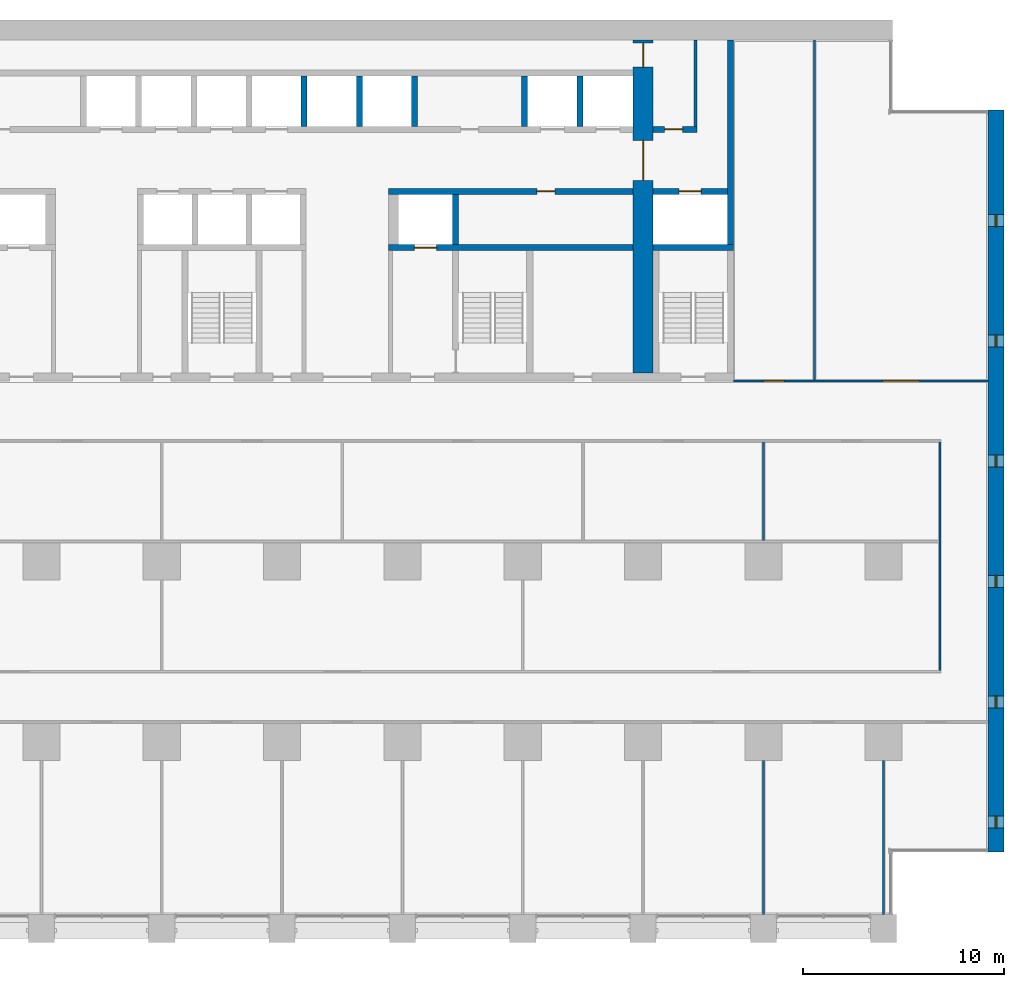
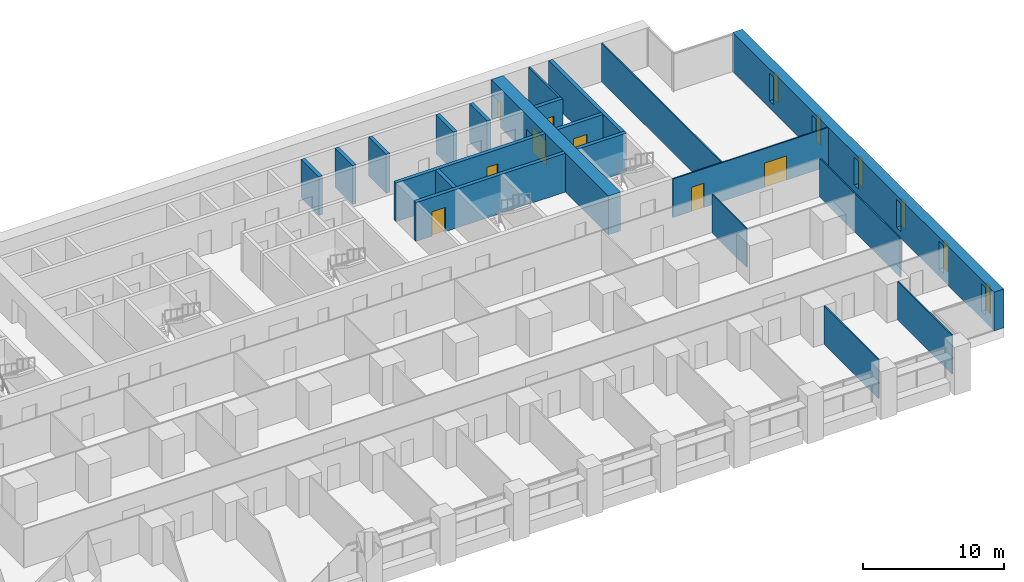
# One storey, part 13 of 18: 21 walls, 8 doors, 6 windows, 14 openings.
"""IFC4 building model written with IfcOpenShell, lengths in metres."""

from ifc_helpers import new_model, si_unit, direction, frame, frame_2d, origin, place, context, subcontext, project, spatial, rectangle, extrude, material, layer, layer_set, type_object, element, fill, save


model = new_model("IFC4")

# Units and contexts
model_context = context("Model", 3, precision=1e-05, world=origin(), true_north=direction((0.0, 1.0)))
body_context = subcontext(model_context, "Body", "Model", "MODEL_VIEW")
ifc_project = project(units=[si_unit("LENGTHUNIT", "METRE"), si_unit("AREAUNIT", "SQUARE_METRE"), si_unit("VOLUMEUNIT", "CUBIC_METRE"), si_unit("PLANEANGLEUNIT", "RADIAN"), si_unit("MASSUNIT", "GRAM", prefix="KILO")], contexts=[model_context])

# Site, building, storey
site_placement = place(None, origin())
site = spatial("IfcSite", under=ifc_project, at=site_placement, CompositionType="ELEMENT")
building_placement = place(site_placement, origin())
building = spatial("IfcBuilding", under=site, at=building_placement, Name="Calvaro Tower", CompositionType="ELEMENT")
storey_placement = place(building_placement, frame((0.0, 0.0, 22.5)))
storey = spatial("IfcBuildingStorey", under=building, at=storey_placement, Name="L04", CompositionType="ELEMENT", Elevation=22.5)

# Wall
ifc_material_1 = material(Name="Blockwork partition", Category="masonry")
ifc_layer_1 = layer(ifc_material_1, 0.14990234375)
ifc_layer_set_1 = layer_set([ifc_layer_1], Name="Blockwork partition")
wall_type_1 = type_object("IfcWallType", Name="Core partition 150 REI 120", PredefinedType="PARTITIONING", material=ifc_layer_set_1)
wall_1_placement = place(storey_placement, frame((62.625, 40.699951171875, 0.0), z_axis=(0.0, 0.0, 1.0), x_axis=(0.0, 1.0, 0.0)))
element("IfcWall", 1, at=wall_1_placement, inside=storey, type_object=wall_type_1, Name="Core partition", PredefinedType="PARTITIONING", context=body_context, shape_type="SweptSolid", body=[
    extrude(rectangle(XDim=4.300048828125, YDim=0.14990234375, at=frame_2d((2.14990234375, 0.0))), origin(), (0.0, 0.0, 1.0), 3.35009765625),
])

# Wall, opening, door
ifc_material_2 = material(Name="Blockwork partition", Category="masonry")
ifc_layer_2 = layer(ifc_material_2, 0.300048828125)
ifc_layer_set_2 = layer_set([ifc_layer_2], Name="Blockwork partition")
wall_type_2 = type_object("IfcWallType", Name="Core partition 300 REI 120", PredefinedType="PARTITIONING", material=ifc_layer_set_2)
wall_2_placement = place(storey_placement, frame((60.5, 40.550048828125, 0.0), z_axis=(0.0, 0.0, 1.0), x_axis=(1.0, 0.0, 0.0)))
wall_2 = element("IfcWall", 2, at=wall_2_placement, inside=storey, type_object=wall_type_2, Name="Core partition", PredefinedType="PARTITIONING", context=body_context, shape_type="SweptSolid", body=[
    extrude(rectangle(XDim=2.199951171875, YDim=0.300048828125, at=frame_2d((1.10009765625, 0.0))), origin(), (0.0, 0.0, 1.0), 3.35009765625),
])
opening_1_placement = place(wall_2_placement, frame((0.574951171875, 0.0, 0.0)))
opening_1 = element("IfcOpeningElement", 3, at=opening_1_placement, cuts=wall_2, Name="Opening RD9C", PredefinedType="OPENING", context=body_context, shape_type="SweptSolid", body=[
    extrude(rectangle(XDim=0.89990234375, YDim=2.10009765625, at=frame_2d((0.449951171875, 1.050048828125))), frame((0.0, 0.159912109375, 0.0), z_axis=(0.0, -1.0, 0.0), x_axis=(1.0, 0.0, 0.0)), (0.0, 0.0, 1.0), 0.320068359375),
])
ifc_material_3 = material(Name="Steel door set", Category="steel")
door_type_1 = type_object("IfcDoorType", Name="Room door 900 FD30", OperationType="SINGLE_SWING_LEFT", PredefinedType="DOOR", material=ifc_material_3)
door_1_placement = place(opening_1_placement, origin())
door_1 = element("IfcDoor", 4, at=door_1_placement, inside=storey, type_object=door_type_1, Name="Room door", OperationType="SINGLE_SWING_LEFT", OverallHeight=2.10009765625, OverallWidth=0.89990234375, PredefinedType="DOOR", context=body_context, shape_type="SweptSolid", body=[
    extrude(rectangle(XDim=0.89990234375, YDim=2.10009765625, at=frame_2d((0.449951171875, 1.050048828125))), frame((0.0, 0.02490234375, 0.0), z_axis=(0.0, -1.0, 0.0), x_axis=(1.0, 0.0, 0.0)), (0.0, 0.0, 1.0), 0.050048828125),
])
fill(opening_1, door_1)

# Wall, openings, doors
ifc_material_4 = material(Name="Concrete C80/95", Category="concrete")
ifc_layer_3 = layer(ifc_material_4, 1.0)
ifc_layer_set_3 = layer_set([ifc_layer_3], Name="Concrete C80/95")
wall_type_3 = type_object("IfcWallType", Name="Core wall C80/95 1000", PredefinedType="SHEAR", material=ifc_layer_set_3)
wall_3_placement = place(storey_placement, frame((60.0, 28.39990234375, 0.0), z_axis=(0.0, 0.0, 1.0), x_axis=(0.0, 1.0, 0.0)))
wall_3 = element("IfcWall", 5, at=wall_3_placement, inside=storey, type_object=wall_type_3, Name="Core wall, cross shear wall", PredefinedType="SHEAR", context=body_context, shape_type="SweptSolid", body=[
    extrude(rectangle(XDim=16.60009765625, YDim=1.0, at=frame_2d((8.300048828125, 0.0))), origin(), (0.0, 0.0, 1.0), 3.35009765625),
])
opening_2_placement = place(wall_3_placement, frame((9.60009765625, 0.0, 0.0)))
opening_2 = element("IfcOpeningElement", 6, at=opening_2_placement, cuts=wall_3, Name="Opening DD20D", PredefinedType="OPENING", context=body_context, shape_type="SweptSolid", body=[
    extrude(rectangle(XDim=2.0, YDim=2.10009765625, at=frame_2d((1.0, 1.050048828125))), frame((0.0, 0.510009765625, 0.0), z_axis=(0.0, -1.0, 0.0), x_axis=(1.0, 0.0, 0.0)), (0.0, 0.0, 1.0), 1.02001953125),
])
opening_3_placement = place(wall_3_placement, frame((15.25, 0.0, 0.0)))
opening_3 = element("IfcOpeningElement", 7, at=opening_3_placement, cuts=wall_3, Name="Opening FD12C", PredefinedType="OPENING", context=body_context, shape_type="SweptSolid", body=[
    extrude(rectangle(XDim=1.199951171875, YDim=2.10009765625, at=frame_2d((0.60009765625, 1.050048828125))), frame((0.0, 0.510009765625, 0.0), z_axis=(0.0, -1.0, 0.0), x_axis=(1.0, 0.0, 0.0)), (0.0, 0.0, 1.0), 1.02001953125),
])
ifc_material_5 = material(Name="Steel door set", Category="steel")
door_type_2 = type_object("IfcDoorType", Name="Fire door 1200 FD30", OperationType="SINGLE_SWING_LEFT", PredefinedType="DOOR", material=ifc_material_5)
door_2_placement = place(opening_3_placement, origin())
door_2 = element("IfcDoor", 8, at=door_2_placement, inside=storey, type_object=door_type_2, Name="Fire door", OperationType="SINGLE_SWING_LEFT", OverallHeight=2.10009765625, OverallWidth=1.199951171875, PredefinedType="DOOR", context=body_context, shape_type="SweptSolid", body=[
    extrude(rectangle(XDim=1.199951171875, YDim=2.10009765625, at=frame_2d((0.60009765625, 1.050048828125))), frame((0.0, 0.02490234375, 0.0), z_axis=(0.0, -1.0, 0.0), x_axis=(1.0, 0.0, 0.0)), (0.0, 0.0, 1.0), 0.050048828125),
])
fill(opening_3, door_2)
ifc_material_6 = material(Name="Steel door set", Category="steel")
door_type_3 = type_object("IfcDoorType", Name="Lobby double door 2000 FD30S", OperationType="DOUBLE_DOOR_SINGLE_SWING", PredefinedType="DOOR", material=ifc_material_6)
door_3_placement = place(opening_2_placement, origin())
door_3 = element("IfcDoor", 9, at=door_3_placement, inside=storey, type_object=door_type_3, Name="Lobby double door", OperationType="DOUBLE_DOOR_SINGLE_SWING", OverallHeight=2.10009765625, OverallWidth=2.0, PredefinedType="DOOR", context=body_context, shape_type="SweptSolid", body=[
    extrude(rectangle(XDim=2.0, YDim=2.10009765625, at=frame_2d((1.0, 1.050048828125))), frame((0.0, 0.02490234375, 0.0), z_axis=(0.0, -1.0, 0.0), x_axis=(1.0, 0.0, 0.0)), (0.0, 0.0, 1.0), 0.050048828125),
])
fill(opening_2, door_3)

# Wall
ifc_material_7 = material(Name="Concrete C80/95", Category="concrete")
ifc_layer_4 = layer(ifc_material_7, 0.300048828125)
ifc_layer_set_4 = layer_set([ifc_layer_4], Name="Concrete C80/95")
wall_type_4 = type_object("IfcWallType", Name="Core wall C80/95 300", PredefinedType="SHEAR", material=ifc_layer_set_4)
wall_4_placement = place(storey_placement, frame((64.35009765625, 34.800048828125, 0.0), z_axis=(0.0, 0.0, 1.0), x_axis=(0.0, 1.0, 0.0)))
element("IfcWall", 10, at=wall_4_placement, inside=storey, type_object=wall_type_4, Name="Core wall, boundary", PredefinedType="SHEAR", context=body_context, shape_type="SweptSolid", body=[
    extrude(rectangle(XDim=10.199951171875, YDim=0.300048828125, at=frame_2d((5.10009765625, 0.0))), origin(), (0.0, 0.0, 1.0), 3.35009765625),
])

# Wall, opening, door
wall_5_placement = place(storey_placement, frame((47.300048828125, 34.64990234375, 0.0), z_axis=(0.0, 0.0, 1.0), x_axis=(1.0, 0.0, 0.0)))
wall_5 = element("IfcWall", 11, at=wall_5_placement, inside=storey, type_object=wall_type_4, Name="Core wall, lift shaft", PredefinedType="SHEAR", context=body_context, shape_type="SweptSolid", body=[
    extrude(rectangle(XDim=12.199951171875, YDim=0.300048828125, at=frame_2d((6.10009765625, 0.0))), origin(), (0.0, 0.0, 1.0), 3.35009765625),
])
opening_4_placement = place(wall_5_placement, frame((1.300048828125, 0.0, 0.0)))
opening_4 = element("IfcOpeningElement", 12, at=opening_4_placement, cuts=wall_5, Name="Opening FF2", PredefinedType="OPENING", context=body_context, shape_type="SweptSolid", body=[
    extrude(rectangle(XDim=1.10009765625, YDim=2.10009765625, at=frame_2d((0.550048828125, 1.050048828125))), frame((0.0, 0.159912109375, 0.0), z_axis=(0.0, -1.0, 0.0), x_axis=(1.0, 0.0, 0.0)), (0.0, 0.0, 1.0), 0.320068359375),
])
ifc_material_8 = material(Name="Stainless steel", Category="steel")
door_type_4 = type_object("IfcDoorType", Name="Landing door 1100 E 60", OperationType="SLIDING_TO_LEFT", PredefinedType="DOOR", material=ifc_material_8)
door_4_placement = place(opening_4_placement, origin())
door_4 = element("IfcDoor", 13, at=door_4_placement, inside=storey, type_object=door_type_4, Name="Landing door FF2", OperationType="SLIDING_TO_LEFT", OverallHeight=2.10009765625, OverallWidth=1.10009765625, PredefinedType="DOOR", context=body_context, shape_type="SweptSolid", body=[
    extrude(rectangle(XDim=1.10009765625, YDim=2.10009765625, at=frame_2d((0.550048828125, 1.050048828125))), frame((0.0, 0.02490234375, 0.0), z_axis=(0.0, -1.0, 0.0), x_axis=(1.0, 0.0, 0.0)), (0.0, 0.0, 1.0), 0.050048828125),
])
fill(opening_4, door_4)

# Wall
wall_6_placement = place(storey_placement, frame((60.5, 34.64990234375, 0.0), z_axis=(0.0, 0.0, 1.0), x_axis=(1.0, 0.0, 0.0)))
element("IfcWall", 14, at=wall_6_placement, inside=storey, type_object=wall_type_4, Name="Core wall, lift shaft", PredefinedType="SHEAR", context=body_context, shape_type="SweptSolid", body=[
    extrude(rectangle(XDim=4.0, YDim=0.300048828125, at=frame_2d((2.0, 0.0))), origin(), (0.0, 0.0, 1.0), 3.35009765625),
])

# Wall, opening, door
wall_7_placement = place(storey_placement, frame((59.5, 37.449951171875, 0.0), z_axis=(0.0, 0.0, 1.0), x_axis=(-1.0, 0.0, 0.0)))
wall_7 = element("IfcWall", 15, at=wall_7_placement, inside=storey, type_object=wall_type_4, Name="Core wall, bay", PredefinedType="SHEAR", context=body_context, shape_type="SweptSolid", body=[
    extrude(rectangle(XDim=12.199951171875, YDim=0.300048828125, at=frame_2d((6.10009765625, 0.0))), origin(), (0.0, 0.0, 1.0), 3.35009765625),
])
opening_5_placement = place(wall_7_placement, frame((3.89990234375, 0.0, 0.0)))
opening_5 = element("IfcOpeningElement", 16, at=opening_5_placement, cuts=wall_7, Name="Opening RD9E", PredefinedType="OPENING", context=body_context, shape_type="SweptSolid", body=[
    extrude(rectangle(XDim=0.89990234375, YDim=2.10009765625, at=frame_2d((0.449951171875, 1.050048828125))), frame((0.0, 0.159912109375, 0.0), z_axis=(0.0, -1.0, 0.0), x_axis=(1.0, 0.0, 0.0)), (0.0, 0.0, 1.0), 0.320068359375),
])
ifc_material_9 = material(Name="Steel door set", Category="steel")
door_type_5 = type_object("IfcDoorType", Name="Room door 900 FD60", OperationType="SINGLE_SWING_LEFT", PredefinedType="DOOR", material=ifc_material_9)
door_5_placement = place(opening_5_placement, origin())
door_5 = element("IfcDoor", 17, at=door_5_placement, inside=storey, type_object=door_type_5, Name="Room door", OperationType="SINGLE_SWING_RIGHT", OverallHeight=2.10009765625, OverallWidth=0.89990234375, PredefinedType="DOOR", context=body_context, shape_type="SweptSolid", body=[
    extrude(rectangle(XDim=0.89990234375, YDim=2.10009765625, at=frame_2d((0.449951171875, 1.050048828125))), frame((0.0, 0.02490234375, 0.0), z_axis=(0.0, -1.0, 0.0), x_axis=(1.0, 0.0, 0.0)), (0.0, 0.0, 1.0), 0.050048828125),
])
fill(opening_5, door_5)

wall_8_placement = place(storey_placement, frame((60.5, 37.449951171875, 0.0), z_axis=(0.0, 0.0, 1.0), x_axis=(1.0, 0.0, 0.0)))
wall_8 = element("IfcWall", 18, at=wall_8_placement, inside=storey, type_object=wall_type_4, Name="Core wall, lift shaft", PredefinedType="SHEAR", context=body_context, shape_type="SweptSolid", body=[
    extrude(rectangle(XDim=3.699951171875, YDim=0.300048828125, at=frame_2d((1.85009765625, 0.0))), origin(), (0.0, 0.0, 1.0), 3.35009765625),
])
opening_6_placement = place(wall_8_placement, frame((1.300048828125, 0.0, 0.0)))
opening_6 = element("IfcOpeningElement", 19, at=opening_6_placement, cuts=wall_8, Name="Opening FF3", PredefinedType="OPENING", context=body_context, shape_type="SweptSolid", body=[
    extrude(rectangle(XDim=1.10009765625, YDim=2.10009765625, at=frame_2d((0.550048828125, 1.050048828125))), frame((0.0, 0.159912109375, 0.0), z_axis=(0.0, -1.0, 0.0), x_axis=(1.0, 0.0, 0.0)), (0.0, 0.0, 1.0), 0.320068359375),
])
door_6_placement = place(opening_6_placement, origin())
door_6 = element("IfcDoor", 20, at=door_6_placement, inside=storey, type_object=door_type_4, Name="Landing door FF3", OperationType="SLIDING_TO_LEFT", OverallHeight=2.10009765625, OverallWidth=1.10009765625, PredefinedType="DOOR", context=body_context, shape_type="SweptSolid", body=[
    extrude(rectangle(XDim=1.10009765625, YDim=2.10009765625, at=frame_2d((0.550048828125, 1.050048828125))), frame((0.0, 0.02490234375, 0.0), z_axis=(0.0, -1.0, 0.0), x_axis=(1.0, 0.0, 0.0)), (0.0, 0.0, 1.0), 0.050048828125),
])
fill(opening_6, door_6)

# Walls
for number, where, z_axis, x_axis, name in (
    (21, (50.64990234375, 34.800048828125, 0.0), (0.0, 0.0, 1.0), (0.0, 1.0, 0.0), "Core wall, lift shaft"),
    (22, (43.10009765625, 40.699951171875, 0.0), (0.0, 0.0, 1.0), (0.0, 1.0, 0.0), "Core wall, lift shaft"),
    (23, (45.85009765625, 40.699951171875, 0.0), (0.0, 0.0, 1.0), (0.0, 1.0, 0.0), "Core wall, lift shaft"),
    (24, (48.60009765625, 40.699951171875, 0.0), (0.0, 0.0, 1.0), (0.0, 1.0, 0.0), "Core wall, lift shaft"),
    (25, (54.10009765625, 40.699951171875, 0.0), (0.0, 0.0, 1.0), (0.0, 1.0, 0.0), "Core wall, lift shaft"),
    (26, (56.85009765625, 40.699951171875, 0.0), (0.0, 0.0, 1.0), (0.0, 1.0, 0.0), "Core wall, lift shaft"),
):
    element("IfcWall", number, at=place(storey_placement, frame(where, z_axis=z_axis, x_axis=x_axis)), inside=storey, type_object=wall_type_4, Name=name, PredefinedType="SHEAR", context=body_context, shape_type="SweptSolid", body=[
        extrude(rectangle(XDim=2.5, YDim=0.300048828125, at=frame_2d((1.25, 0.0))), origin(), (0.0, 0.0, 1.0), 3.35009765625),
    ])

# Wall, openings, windows
ifc_material_10 = material(Name="Concrete C80/95", Category="concrete")
ifc_layer_5 = layer(ifc_material_10, 0.800048828125)
ifc_layer_set_5 = layer_set([ifc_layer_5], Name="Concrete C80/95")
wall_type_5 = type_object("IfcWallType", Name="End wall 800 C80/95", PredefinedType="SHEAR", material=ifc_layer_set_5)
wall_9_placement = place(storey_placement, frame((77.60009765625, 4.5, 0.0), z_axis=(0.0, 0.0, 1.0), x_axis=(0.0, 1.0, 0.0)))
wall_9 = element("IfcWall", 27, at=wall_9_placement, inside=storey, type_object=wall_type_5, Name="End shear wall", PredefinedType="SHEAR", context=body_context, shape_type="SweptSolid", body=[
    extrude(rectangle(XDim=37.0, YDim=0.800048828125, at=frame_2d((18.5, 0.0))), origin(), (0.0, 0.0, 1.0), 3.35009765625),
])
opening_7_placement = place(wall_9_placement, frame((1.199951171875, 0.0, 0.60009765625)))
opening_7 = element("IfcOpeningElement", 28, at=opening_7_placement, cuts=wall_9, Name="Opening WE01", PredefinedType="OPENING", context=body_context, shape_type="SweptSolid", body=[
    extrude(rectangle(XDim=0.60009765625, YDim=2.39990234375, at=frame_2d((0.300048828125, 1.199951171875))), frame((0.0, 0.409912109375, 0.0), z_axis=(0.0, -1.0, 0.0), x_axis=(1.0, 0.0, 0.0)), (0.0, 0.0, 1.0), 0.820068359375),
])
opening_8_placement = place(wall_9_placement, frame((7.199951171875, 0.0, 0.60009765625)))
opening_8 = element("IfcOpeningElement", 29, at=opening_8_placement, cuts=wall_9, Name="Opening WE02", PredefinedType="OPENING", context=body_context, shape_type="SweptSolid", body=[
    extrude(rectangle(XDim=0.60009765625, YDim=2.39990234375, at=frame_2d((0.300048828125, 1.199951171875))), frame((0.0, 0.409912109375, 0.0), z_axis=(0.0, -1.0, 0.0), x_axis=(1.0, 0.0, 0.0)), (0.0, 0.0, 1.0), 0.820068359375),
])
opening_9_placement = place(wall_9_placement, frame((13.199951171875, 0.0, 0.60009765625)))
opening_9 = element("IfcOpeningElement", 30, at=opening_9_placement, cuts=wall_9, Name="Opening WE03", PredefinedType="OPENING", context=body_context, shape_type="SweptSolid", body=[
    extrude(rectangle(XDim=0.60009765625, YDim=2.39990234375, at=frame_2d((0.300048828125, 1.199951171875))), frame((0.0, 0.409912109375, 0.0), z_axis=(0.0, -1.0, 0.0), x_axis=(1.0, 0.0, 0.0)), (0.0, 0.0, 1.0), 0.820068359375),
])
opening_10_placement = place(wall_9_placement, frame((19.199951171875, 0.0, 0.60009765625)))
opening_10 = element("IfcOpeningElement", 31, at=opening_10_placement, cuts=wall_9, Name="Opening WE04", PredefinedType="OPENING", context=body_context, shape_type="SweptSolid", body=[
    extrude(rectangle(XDim=0.60009765625, YDim=2.39990234375, at=frame_2d((0.300048828125, 1.199951171875))), frame((0.0, 0.409912109375, 0.0), z_axis=(0.0, -1.0, 0.0), x_axis=(1.0, 0.0, 0.0)), (0.0, 0.0, 1.0), 0.820068359375),
])
opening_11_placement = place(wall_9_placement, frame((25.199951171875, 0.0, 0.60009765625)))
opening_11 = element("IfcOpeningElement", 32, at=opening_11_placement, cuts=wall_9, Name="Opening WE05", PredefinedType="OPENING", context=body_context, shape_type="SweptSolid", body=[
    extrude(rectangle(XDim=0.60009765625, YDim=2.39990234375, at=frame_2d((0.300048828125, 1.199951171875))), frame((0.0, 0.409912109375, 0.0), z_axis=(0.0, -1.0, 0.0), x_axis=(1.0, 0.0, 0.0)), (0.0, 0.0, 1.0), 0.820068359375),
])
opening_12_placement = place(wall_9_placement, frame((31.199951171875, 0.0, 0.60009765625)))
opening_12 = element("IfcOpeningElement", 33, at=opening_12_placement, cuts=wall_9, Name="Opening WE06", PredefinedType="OPENING", context=body_context, shape_type="SweptSolid", body=[
    extrude(rectangle(XDim=0.60009765625, YDim=2.39990234375, at=frame_2d((0.300048828125, 1.199951171875))), frame((0.0, 0.409912109375, 0.0), z_axis=(0.0, -1.0, 0.0), x_axis=(1.0, 0.0, 0.0)), (0.0, 0.0, 1.0), 0.820068359375),
])
ifc_material_11 = material(Name="Glass", Category="glass")
window_type = type_object("IfcWindowType", Name="Slit window 600 x 2400", PartitioningType="SINGLE_PANEL", PredefinedType="WINDOW", material=ifc_material_11)
window_1_placement = place(opening_7_placement, origin())
window_1 = element("IfcWindow", 34, at=window_1_placement, inside=storey, type_object=window_type, Name="Window WE01", OverallHeight=2.39990234375, OverallWidth=0.60009765625, PartitioningType="SINGLE_PANEL", PredefinedType="WINDOW", context=body_context, shape_type="SweptSolid", body=[
    extrude(rectangle(XDim=0.60009765625, YDim=2.39990234375, at=frame_2d((0.300048828125, 1.199951171875))), frame((0.0, 0.030029296875, 0.0), z_axis=(0.0, -1.0, 0.0), x_axis=(1.0, 0.0, 0.0)), (0.0, 0.0, 1.0), 0.06005859375),
])
fill(opening_7, window_1)
window_2_placement = place(opening_8_placement, origin())
window_2 = element("IfcWindow", 35, at=window_2_placement, inside=storey, type_object=window_type, Name="Window WE02", OverallHeight=2.39990234375, OverallWidth=0.60009765625, PartitioningType="SINGLE_PANEL", PredefinedType="WINDOW", context=body_context, shape_type="SweptSolid", body=[
    extrude(rectangle(XDim=0.60009765625, YDim=2.39990234375, at=frame_2d((0.300048828125, 1.199951171875))), frame((0.0, 0.030029296875, 0.0), z_axis=(0.0, -1.0, 0.0), x_axis=(1.0, 0.0, 0.0)), (0.0, 0.0, 1.0), 0.06005859375),
])
fill(opening_8, window_2)
window_3_placement = place(opening_9_placement, origin())
window_3 = element("IfcWindow", 36, at=window_3_placement, inside=storey, type_object=window_type, Name="Window WE03", OverallHeight=2.39990234375, OverallWidth=0.60009765625, PartitioningType="SINGLE_PANEL", PredefinedType="WINDOW", context=body_context, shape_type="SweptSolid", body=[
    extrude(rectangle(XDim=0.60009765625, YDim=2.39990234375, at=frame_2d((0.300048828125, 1.199951171875))), frame((0.0, 0.030029296875, 0.0), z_axis=(0.0, -1.0, 0.0), x_axis=(1.0, 0.0, 0.0)), (0.0, 0.0, 1.0), 0.06005859375),
])
fill(opening_9, window_3)
window_4_placement = place(opening_10_placement, origin())
window_4 = element("IfcWindow", 37, at=window_4_placement, inside=storey, type_object=window_type, Name="Window WE04", OverallHeight=2.39990234375, OverallWidth=0.60009765625, PartitioningType="SINGLE_PANEL", PredefinedType="WINDOW", context=body_context, shape_type="SweptSolid", body=[
    extrude(rectangle(XDim=0.60009765625, YDim=2.39990234375, at=frame_2d((0.300048828125, 1.199951171875))), frame((0.0, 0.030029296875, 0.0), z_axis=(0.0, -1.0, 0.0), x_axis=(1.0, 0.0, 0.0)), (0.0, 0.0, 1.0), 0.06005859375),
])
fill(opening_10, window_4)
window_5_placement = place(opening_11_placement, origin())
window_5 = element("IfcWindow", 38, at=window_5_placement, inside=storey, type_object=window_type, Name="Window WE05", OverallHeight=2.39990234375, OverallWidth=0.60009765625, PartitioningType="SINGLE_PANEL", PredefinedType="WINDOW", context=body_context, shape_type="SweptSolid", body=[
    extrude(rectangle(XDim=0.60009765625, YDim=2.39990234375, at=frame_2d((0.300048828125, 1.199951171875))), frame((0.0, 0.030029296875, 0.0), z_axis=(0.0, -1.0, 0.0), x_axis=(1.0, 0.0, 0.0)), (0.0, 0.0, 1.0), 0.06005859375),
])
fill(opening_11, window_5)
window_6_placement = place(opening_12_placement, origin())
window_6 = element("IfcWindow", 39, at=window_6_placement, inside=storey, type_object=window_type, Name="Window WE06", OverallHeight=2.39990234375, OverallWidth=0.60009765625, PartitioningType="SINGLE_PANEL", PredefinedType="WINDOW", context=body_context, shape_type="SweptSolid", body=[
    extrude(rectangle(XDim=0.60009765625, YDim=2.39990234375, at=frame_2d((0.300048828125, 1.199951171875))), frame((0.0, 0.030029296875, 0.0), z_axis=(0.0, -1.0, 0.0), x_axis=(1.0, 0.0, 0.0)), (0.0, 0.0, 1.0), 0.06005859375),
])
fill(opening_12, window_6)

# Walls
ifc_material_12 = material(Name="Plasterboard on steel studs", Category="steel")
ifc_layer_6 = layer(ifc_material_12, 0.10009765625)
ifc_layer_set_6 = layer_set([ifc_layer_6], Name="Plasterboard on steel studs")
wall_type_6 = type_object("IfcWallType", Name="Partition 100", PredefinedType="PARTITIONING", material=ifc_layer_set_6)
wall_10_placement = place(storey_placement, frame((66.0, 1.39990234375, 0.0), z_axis=(0.0, 0.0, 1.0), x_axis=(0.0, 1.0, 0.0)))
element("IfcWall", 40, at=wall_10_placement, inside=storey, type_object=wall_type_6, Name="Partition T07.W026", PredefinedType="PARTITIONING", context=body_context, shape_type="SweptSolid", body=[
    extrude(rectangle(XDim=7.675048828125, YDim=0.10009765625, at=frame_2d((3.83740234375, 0.0))), origin(), (0.0, 0.0, 1.0), 3.35009765625),
])
wall_11_placement = place(storey_placement, frame((66.0, 20.050048828125, 0.0), z_axis=(0.0, 0.0, 1.0), x_axis=(0.0, 1.0, 0.0)))
element("IfcWall", 41, at=wall_11_placement, inside=storey, type_object=wall_type_6, Name="Partition T07.W027", PredefinedType="PARTITIONING", context=body_context, shape_type="SweptSolid", body=[
    extrude(rectangle(XDim=4.89990234375, YDim=0.10009765625, at=frame_2d((2.449951171875, 0.0))), origin(), (0.0, 0.0, 1.0), 3.35009765625),
])
wall_12_placement = place(storey_placement, frame((72.0, 1.39990234375, 0.0), z_axis=(0.0, 0.0, 1.0), x_axis=(0.0, 1.0, 0.0)))
element("IfcWall", 42, at=wall_12_placement, inside=storey, type_object=wall_type_6, Name="Partition T07.W029", PredefinedType="PARTITIONING", context=body_context, shape_type="SweptSolid", body=[
    extrude(rectangle(XDim=7.675048828125, YDim=0.10009765625, at=frame_2d((3.83740234375, 0.0))), origin(), (0.0, 0.0, 1.0), 3.35009765625),
])
wall_13_placement = place(storey_placement, frame((74.800048828125, 13.550048828125, 0.0), z_axis=(0.0, 0.0, 1.0), x_axis=(0.0, 1.0, 0.0)))
element("IfcWall", 43, at=wall_13_placement, inside=storey, type_object=wall_type_6, Name="Partition T07.W030", PredefinedType="PARTITIONING", context=body_context, shape_type="SweptSolid", body=[
    extrude(rectangle(XDim=11.39990234375, YDim=0.10009765625, at=frame_2d((5.699951171875, 0.0))), origin(), (0.0, 0.0, 1.0), 3.35009765625),
])

# Wall, openings, doors
ifc_material_13 = material(Name="Plasterboard on steel studs", Category="steel")
ifc_layer_7 = layer(ifc_material_13, 0.10009765625)
ifc_layer_set_7 = layer_set([ifc_layer_7], Name="Plasterboard on steel studs")
wall_type_7 = type_object("IfcWallType", Name="Partition 100 REI 120", PredefinedType="PARTITIONING", material=ifc_layer_set_7)
wall_14_placement = place(storey_placement, frame((64.5, 28.0, 0.0), z_axis=(0.0, 0.0, 1.0), x_axis=(1.0, 0.0, 0.0)))
wall_14 = element("IfcWall", 44, at=wall_14_placement, inside=storey, type_object=wall_type_7, Name="Partition T07.W006", PredefinedType="PARTITIONING", context=body_context, shape_type="SweptSolid", body=[
    extrude(rectangle(XDim=12.699951171875, YDim=0.10009765625, at=frame_2d((6.35009765625, 0.0))), origin(), (0.0, 0.0, 1.0), 3.35009765625),
])
opening_13_placement = place(wall_14_placement, frame((7.47509765625, 0.0, 0.0)))
opening_13 = element("IfcOpeningElement", 45, at=opening_13_placement, cuts=wall_14, Name="Opening T07.026", PredefinedType="OPENING", context=body_context, shape_type="SweptSolid", body=[
    extrude(rectangle(XDim=1.800048828125, YDim=2.10009765625, at=frame_2d((0.89990234375, 1.050048828125))), frame((0.0, 0.06005859375, 0.0), z_axis=(0.0, -1.0, 0.0), x_axis=(1.0, 0.0, 0.0)), (0.0, 0.0, 1.0), 0.1201171875),
])
opening_14_placement = place(wall_14_placement, frame((1.52490234375, 0.0, 0.0)))
opening_14 = element("IfcOpeningElement", 46, at=opening_14_placement, cuts=wall_14, Name="Opening T07.027", PredefinedType="OPENING", context=body_context, shape_type="SweptSolid", body=[
    extrude(rectangle(XDim=1.0, YDim=2.10009765625, at=frame_2d((0.5, 1.050048828125))), frame((0.0, 0.06005859375, 0.0), z_axis=(0.0, -1.0, 0.0), x_axis=(1.0, 0.0, 0.0)), (0.0, 0.0, 1.0), 0.1201171875),
])
ifc_material_14 = material(Name="Timber", Category="wood")
door_type_6 = type_object("IfcDoorType", Name="Internal double door 1800 x 2100", OperationType="DOUBLE_DOOR_SINGLE_SWING", PredefinedType="DOOR", material=ifc_material_14)
door_7_placement = place(opening_13_placement, origin())
door_7 = element("IfcDoor", 47, at=door_7_placement, inside=storey, type_object=door_type_6, Name="Door T07.026", OperationType="DOUBLE_DOOR_SINGLE_SWING", OverallHeight=2.10009765625, OverallWidth=1.800048828125, PredefinedType="DOOR", context=body_context, shape_type="SweptSolid", body=[
    extrude(rectangle(XDim=1.800048828125, YDim=2.10009765625, at=frame_2d((0.89990234375, 1.050048828125))), frame((0.0, 0.02490234375, 0.0), z_axis=(0.0, -1.0, 0.0), x_axis=(1.0, 0.0, 0.0)), (0.0, 0.0, 1.0), 0.050048828125),
])
fill(opening_13, door_7)
ifc_material_15 = material(Name="Timber", Category="wood")
door_type_7 = type_object("IfcDoorType", Name="Internal single door 1000 x 2100 FD60", OperationType="SINGLE_SWING_LEFT", PredefinedType="DOOR", material=ifc_material_15)
door_8_placement = place(opening_14_placement, origin())
door_8 = element("IfcDoor", 48, at=door_8_placement, inside=storey, type_object=door_type_7, Name="Door T07.027", OperationType="SINGLE_SWING_LEFT", OverallHeight=2.10009765625, OverallWidth=1.0, PredefinedType="DOOR", context=body_context, shape_type="SweptSolid", body=[
    extrude(rectangle(XDim=1.0, YDim=2.10009765625, at=frame_2d((0.5, 1.050048828125))), frame((0.0, 0.02490234375, 0.0), z_axis=(0.0, -1.0, 0.0), x_axis=(1.0, 0.0, 0.0)), (0.0, 0.0, 1.0), 0.050048828125),
])
fill(opening_14, door_8)

# Wall
wall_15_placement = place(storey_placement, frame((68.550048828125, 28.050048828125, 0.0), z_axis=(0.0, 0.0, 1.0), x_axis=(0.0, 1.0, 0.0)))
element("IfcWall", 49, at=wall_15_placement, inside=storey, type_object=wall_type_7, Name="Partition T07.W028", PredefinedType="PARTITIONING", context=body_context, shape_type="SweptSolid", body=[
    extrude(rectangle(XDim=16.949951171875, YDim=0.10009765625, at=frame_2d((8.47509765625, 0.0))), origin(), (0.0, 0.0, 1.0), 3.35009765625),
])

save(model, "model.ifc")
